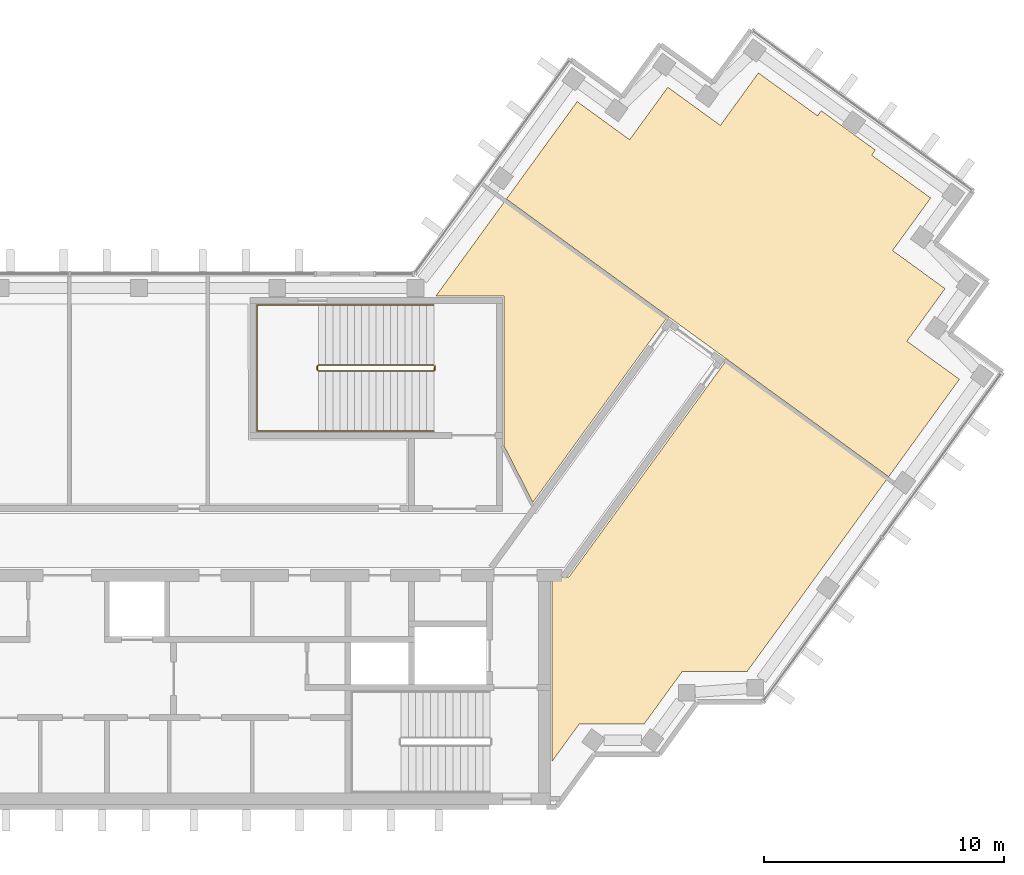
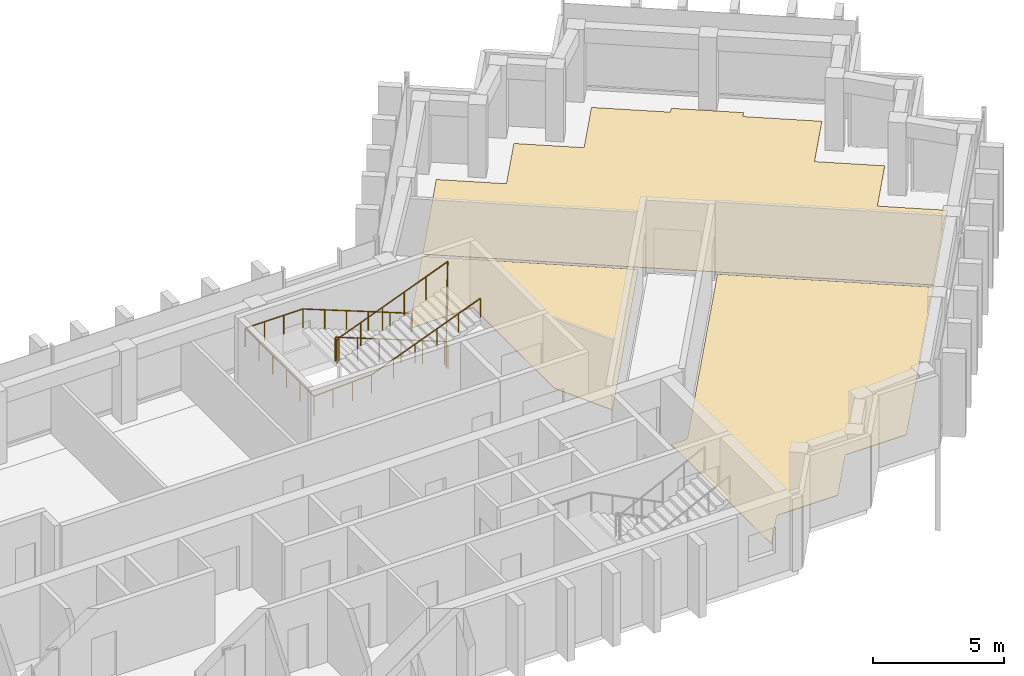
# One storey, part 13 of 13: 3 coverings, 2 railings.
"""IFC4 building model written with IfcOpenShell, lengths in metres."""

from ifc_helpers import new_model, si_unit, direction, frame, origin, origin_2d, place, context, subcontext, project, spatial, polyline, circle, outline, extrude, material, layer, layer_set, type_object, element, save


model = new_model("IFC4")

# Units and contexts
model_context = context("Model", 3, precision=1e-05, world=origin(), true_north=direction((0.0, 1.0)))
body_context = subcontext(model_context, "Body", "Model", "MODEL_VIEW")
ifc_project = project(units=[si_unit("LENGTHUNIT", "METRE"), si_unit("AREAUNIT", "SQUARE_METRE"), si_unit("VOLUMEUNIT", "CUBIC_METRE"), si_unit("PLANEANGLEUNIT", "RADIAN"), si_unit("MASSUNIT", "GRAM", prefix="KILO")], contexts=[model_context])

# Site, building, storey
site_placement = place(None, origin())
site = spatial("IfcSite", under=ifc_project, at=site_placement, CompositionType="ELEMENT")
building_placement = place(site_placement, origin())
building = spatial("IfcBuilding", under=site, at=building_placement, Name="Quipu Civic Tower", CompositionType="ELEMENT")
storey_placement = place(building_placement, frame((0.0, 0.0, 297.0)))
storey = spatial("IfcBuildingStorey", under=building, at=storey_placement, Name="L69", CompositionType="ELEMENT", Elevation=297.0)

# Coverings
ifc_material_1 = material(Name="Carpet tile on raised access floor")
ifc_layer = layer(ifc_material_1, 0.02001953125)
ifc_layer_set = layer_set([ifc_layer], Name="Carpet tile on raised access floor")
covering_type = type_object("IfcCoveringType", Name="Carpet tile floor finish 20", PredefinedType="FLOORING", material=ifc_layer_set)
covering_1_placement = place(storey_placement, origin())
element("IfcCovering", 1, at=covering_1_placement, inside=storey, type_object=covering_type, Name="Carpet tile floor finish 20", PredefinedType="FLOORING", context=body_context, shape_type="SweptSolid", body=[
    extrude(outline(polyline([(15.238037109375, 10.169921875), (18.089111328125, 14.093994140625), (24.81201171875, 9.2109375), (19.27197265625, 1.583984375), (18.070068359375, 3.94189453125), (18.070068359375, 10.1689453125), (15.238037109375, 10.169921875)])), origin(), (0.0, 0.0, 1.0), 0.02001953125),
])
covering_2_placement = place(storey_placement, origin())
element("IfcCovering", 2, at=covering_2_placement, inside=storey, type_object=covering_type, Name="Carpet tile floor finish 20", PredefinedType="FLOORING", context=body_context, shape_type="SweptSolid", body=[
    extrude(outline(polyline([(20.070068359375, -9.195068359375), (20.070068359375, -1.52001953125), (20.77490234375, -1.51904296875), (27.27197265625, 7.423095703125), (33.9951171875, 2.5390625), (28.181884765625, -5.4609375), (25.48193359375, -5.4619140625), (23.89501953125, -7.64599609375), (21.196044921875, -7.64599609375), (20.070068359375, -9.195068359375)])), origin(), (0.0, 0.0, 1.0), 0.02001953125),
])
covering_3_placement = place(storey_placement, origin())
element("IfcCovering", 3, at=covering_3_placement, inside=storey, type_object=covering_type, Name="Carpet tile floor finish 20", PredefinedType="FLOORING", context=body_context, shape_type="SweptSolid", body=[
    extrude(outline(polyline([(18.172119140625, 14.20703125), (21.116943359375, 18.260986328125), (23.301025390625, 16.675048828125), (24.887939453125, 18.85791015625), (27.073974609375, 17.27197265625), (28.658935546875, 19.455078125), (31.116943359375, 17.6708984375), (31.27099609375, 17.8798828125), (33.52197265625, 16.2451171875), (33.3701171875, 16.032958984375), (35.826904296875, 14.248046875), (34.240966796875, 12.06396484375), (36.425048828125, 10.47607421875), (34.839111328125, 8.291015625), (37.02197265625, 6.7060546875), (34.077880859375, 2.652099609375), (18.172119140625, 14.20703125)])), origin(), (0.0, 0.0, 1.0), 0.02001953125),
])

# Railings
ifc_material_2 = material(Name="Stainless steel", Category="steel")
railing_type_1 = type_object("IfcRailingType", Name="Stair guard 1100", PredefinedType="GUARDRAIL", material=ifc_material_2)
railing_1_placement = place(storey_placement, frame((15.14990234375, 7.300048828125, 0.11767578125)))
element("IfcRailing", 4, at=railing_1_placement, inside=storey, type_object=railing_type_1, Name="Stair 4 guard", PredefinedType="GUARDRAIL", context=body_context, shape_type="SweptSolid", body=[
    extrude(circle(Radius=0.02392578125, at=origin_2d()), frame((0.0, 0.0, 1.076171875), z_axis=(-0.930970042603, 0.0, 0.365095576219), x_axis=(0.0, -1.0, 0.0)), (0.0, 0.0, 1.0), 5.15576171875),
    extrude(circle(Radius=0.02392578125, at=origin_2d()), frame((-4.7998046875, 0.0, 2.95849609375), z_axis=(-0.707106781187, -0.707106781187, 0.0), x_axis=(0.707106781187, -0.707106781187, 0.0)), (0.0, 0.0, 1.0), 0.07080078125),
    extrude(circle(Radius=0.02392578125, at=origin_2d()), frame((-4.849853515625, -0.050048828125, 2.95849609375), z_axis=(0.0, -1.0, 0.0), x_axis=(1.0, 0.0, 0.0)), (0.0, 0.0, 1.0), 0.14990234375),
    extrude(circle(Radius=0.02392578125, at=origin_2d()), frame((-4.849853515625, -0.199951171875, 2.95849609375), z_axis=(0.364463019033, -0.364463019033, 0.856932561824), x_axis=(0.707106781187, 0.707106781187, 0.0)), (0.0, 0.0, 1.0), 0.13720703125),
    extrude(circle(Radius=0.02392578125, at=origin_2d()), frame((-4.7998046875, -0.25, 3.076171875), z_axis=(0.930970042603, 0.0, 0.365095576219), x_axis=(0.0, 1.0, 0.0)), (0.0, 0.0, 1.0), 5.15576171875),
    extrude(circle(Radius=0.02392578125, at=origin_2d()), frame((0.0, -0.25, 4.95849609375), z_axis=(0.012495627992, 0.049921557685, -0.998674970829), x_axis=(-0.970072785993, 0.242814311512, 0.0)), (0.0, 0.0, 1.0), 4.00537109375),
    extrude(circle(Radius=0.02392578125, at=origin_2d()), frame((0.050048828125, -0.050048828125, 0.95849609375), z_axis=(0.0, -1.0, 0.0), x_axis=(1.0, 0.0, 0.0)), (0.0, 0.0, 1.0), 0.14990234375),
    extrude(circle(Radius=0.02099609375, at=origin_2d()), origin(), (0.0, 0.0, 1.0), 1.052001953125),
    extrude(circle(Radius=0.02099609375, at=origin_2d()), frame((-0.9599609375, 0.0, 0.37646484375)), (0.0, 0.0, 1.0), 1.052001953125),
    extrude(circle(Radius=0.02099609375, at=origin_2d()), frame((-1.919921875, 0.0, 0.7529296875)), (0.0, 0.0, 1.0), 1.052001953125),
    extrude(circle(Radius=0.02099609375, at=origin_2d()), frame((-2.8798828125, 0.0, 1.12939453125)), (0.0, 0.0, 1.0), 1.052001953125),
    extrude(circle(Radius=0.02099609375, at=origin_2d()), frame((-3.83984375, 0.0, 1.505859375)), (0.0, 0.0, 1.0), 1.052001953125),
    extrude(circle(Radius=0.02099609375, at=origin_2d()), frame((-4.7998046875, 0.0, 1.88232421875)), (0.0, 0.0, 1.0), 1.052001953125),
    extrude(circle(Radius=0.02099609375, at=origin_2d()), frame((-4.849853515625, -0.050048828125, 1.88232421875)), (0.0, 0.0, 1.0), 1.052001953125),
    extrude(circle(Radius=0.02099609375, at=origin_2d()), frame((-4.849853515625, -0.199951171875, 1.88232421875)), (0.0, 0.0, 1.0), 1.052001953125),
    extrude(circle(Radius=0.02099609375, at=origin_2d()), frame((-4.7998046875, -0.25, 2.0)), (0.0, 0.0, 1.0), 1.052001953125),
    extrude(circle(Radius=0.02099609375, at=origin_2d()), frame((-3.83984375, -0.25, 2.37646484375)), (0.0, 0.0, 1.0), 1.052001953125),
    extrude(circle(Radius=0.02099609375, at=origin_2d()), frame((-2.8798828125, -0.25, 2.7529296875)), (0.0, 0.0, 1.0), 1.052001953125),
    extrude(circle(Radius=0.02099609375, at=origin_2d()), frame((-1.919921875, -0.25, 3.12939453125)), (0.0, 0.0, 1.0), 1.052001953125),
    extrude(circle(Radius=0.02099609375, at=origin_2d()), frame((-0.9599609375, -0.25, 3.505859375)), (0.0, 0.0, 1.0), 1.052001953125),
    extrude(circle(Radius=0.02099609375, at=origin_2d()), frame((0.0, -0.25, 3.88232421875)), (0.0, 0.0, 1.0), 1.052001953125),
    extrude(circle(Radius=0.02099609375, at=origin_2d()), frame((0.012451171875, -0.199951171875, 2.88232421875)), (0.0, 0.0, 1.0), 1.052001953125),
    extrude(circle(Radius=0.02099609375, at=origin_2d()), frame((0.02490234375, -0.14990234375, 1.88232421875)), (0.0, 0.0, 1.0), 1.052001953125),
    extrude(circle(Radius=0.02099609375, at=origin_2d()), frame((0.03759765625, -0.10009765625, 0.88232421875)), (0.0, 0.0, 1.0), 1.052001953125),
    extrude(circle(Radius=0.02099609375, at=origin_2d()), frame((0.050048828125, -0.050048828125, -0.11767578125)), (0.0, 0.0, 1.0), 1.052001953125),
    extrude(circle(Radius=0.02099609375, at=origin_2d()), frame((0.050048828125, -0.199951171875, -0.11767578125)), (0.0, 0.0, 1.0), 1.052001953125),
])
ifc_material_3 = material(Name="Stainless steel", Category="steel")
railing_type_2 = type_object("IfcRailingType", Name="Stair handrail", PredefinedType="HANDRAIL", material=ifc_material_3)
railing_2_placement = place(storey_placement, frame((15.14990234375, 9.800048828125, 0.11767578125)))
element("IfcRailing", 5, at=railing_2_placement, inside=storey, type_object=railing_type_2, Name="Stair 4 handrail", PredefinedType="HANDRAIL", context=body_context, shape_type="SweptSolid", body=[
    extrude(circle(Radius=0.02392578125, at=origin_2d()), frame((0.0, 0.0, 0.8759765625), z_axis=(-0.930970042603, 0.0, 0.365095576219), x_axis=(0.0, -1.0, 0.0)), (0.0, 0.0, 1.0), 5.15576171875),
    extrude(circle(Radius=0.02392578125, at=origin_2d()), frame((-4.7998046875, 0.0, 2.75830078125), z_axis=(-1.0, 0.0, 0.0), x_axis=(0.0, -1.0, 0.0)), (0.0, 0.0, 1.0), 2.550048828125),
    extrude(circle(Radius=0.02392578125, at=origin_2d()), frame((-7.349853515625, 0.0, 2.75830078125), z_axis=(0.0, -1.0, 0.0), x_axis=(1.0, 0.0, 0.0)), (0.0, 0.0, 1.0), 5.25),
    extrude(circle(Radius=0.02392578125, at=origin_2d()), frame((-7.349853515625, -5.25, 2.75830078125), z_axis=(0.998936948642, 0.0, 0.04609742549), x_axis=(0.0, 1.0, 0.0)), (0.0, 0.0, 1.0), 2.552734375),
    extrude(circle(Radius=0.02392578125, at=origin_2d()), frame((-4.7998046875, -5.25, 2.8759765625), z_axis=(0.930970042603, 0.0, 0.365095576219), x_axis=(0.0, 1.0, 0.0)), (0.0, 0.0, 1.0), 5.15576171875),
    extrude(circle(Radius=0.02099609375, at=origin_2d()), origin(), (0.0, 0.0, 1.0), 0.851806640625),
    extrude(circle(Radius=0.02099609375, at=origin_2d()), frame((-0.9599609375, 0.0, 0.37646484375)), (0.0, 0.0, 1.0), 0.851806640625),
    extrude(circle(Radius=0.02099609375, at=origin_2d()), frame((-1.919921875, 0.0, 0.7529296875)), (0.0, 0.0, 1.0), 0.851806640625),
    extrude(circle(Radius=0.02099609375, at=origin_2d()), frame((-2.8798828125, 0.0, 1.12939453125)), (0.0, 0.0, 1.0), 0.851806640625),
    extrude(circle(Radius=0.02099609375, at=origin_2d()), frame((-3.83984375, 0.0, 1.505859375)), (0.0, 0.0, 1.0), 0.851806640625),
    extrude(circle(Radius=0.02099609375, at=origin_2d()), frame((-4.7998046875, 0.0, 1.88232421875)), (0.0, 0.0, 1.0), 0.851806640625),
    extrude(circle(Radius=0.02099609375, at=origin_2d()), frame((-5.64990234375, 0.0, 1.88232421875)), (0.0, 0.0, 1.0), 0.851806640625),
    extrude(circle(Radius=0.02099609375, at=origin_2d()), frame((-6.499755859375, 0.0, 1.88232421875)), (0.0, 0.0, 1.0), 0.851806640625),
    extrude(circle(Radius=0.02099609375, at=origin_2d()), frame((-7.349853515625, 0.0, 1.88232421875)), (0.0, 0.0, 1.0), 0.851806640625),
    extrude(circle(Radius=0.02099609375, at=origin_2d()), frame((-7.349853515625, -1.050048828125, 1.88232421875)), (0.0, 0.0, 1.0), 0.851806640625),
    extrude(circle(Radius=0.02099609375, at=origin_2d()), frame((-7.349853515625, -2.10009765625, 1.88232421875)), (0.0, 0.0, 1.0), 0.851806640625),
    extrude(circle(Radius=0.02099609375, at=origin_2d()), frame((-7.349853515625, -3.14990234375, 1.88232421875)), (0.0, 0.0, 1.0), 0.851806640625),
    extrude(circle(Radius=0.02099609375, at=origin_2d()), frame((-7.349853515625, -4.199951171875, 1.88232421875)), (0.0, 0.0, 1.0), 0.851806640625),
    extrude(circle(Radius=0.02099609375, at=origin_2d()), frame((-7.349853515625, -5.25, 1.88232421875)), (0.0, 0.0, 1.0), 0.851806640625),
    extrude(circle(Radius=0.02099609375, at=origin_2d()), frame((-6.499755859375, -5.25, 1.921630859375)), (0.0, 0.0, 1.0), 0.851806640625),
    extrude(circle(Radius=0.02099609375, at=origin_2d()), frame((-5.64990234375, -5.25, 1.960693359375)), (0.0, 0.0, 1.0), 0.851806640625),
    extrude(circle(Radius=0.02099609375, at=origin_2d()), frame((-4.7998046875, -5.25, 2.0)), (0.0, 0.0, 1.0), 0.851806640625),
    extrude(circle(Radius=0.02099609375, at=origin_2d()), frame((-3.83984375, -5.25, 2.37646484375)), (0.0, 0.0, 1.0), 0.851806640625),
    extrude(circle(Radius=0.02099609375, at=origin_2d()), frame((-2.8798828125, -5.25, 2.7529296875)), (0.0, 0.0, 1.0), 0.851806640625),
    extrude(circle(Radius=0.02099609375, at=origin_2d()), frame((-1.919921875, -5.25, 3.12939453125)), (0.0, 0.0, 1.0), 0.851806640625),
    extrude(circle(Radius=0.02099609375, at=origin_2d()), frame((-0.9599609375, -5.25, 3.505859375)), (0.0, 0.0, 1.0), 0.851806640625),
    extrude(circle(Radius=0.02099609375, at=origin_2d()), frame((0.0, -5.25, 3.88232421875)), (0.0, 0.0, 1.0), 0.851806640625),
])

save(model, "model.ifc")
